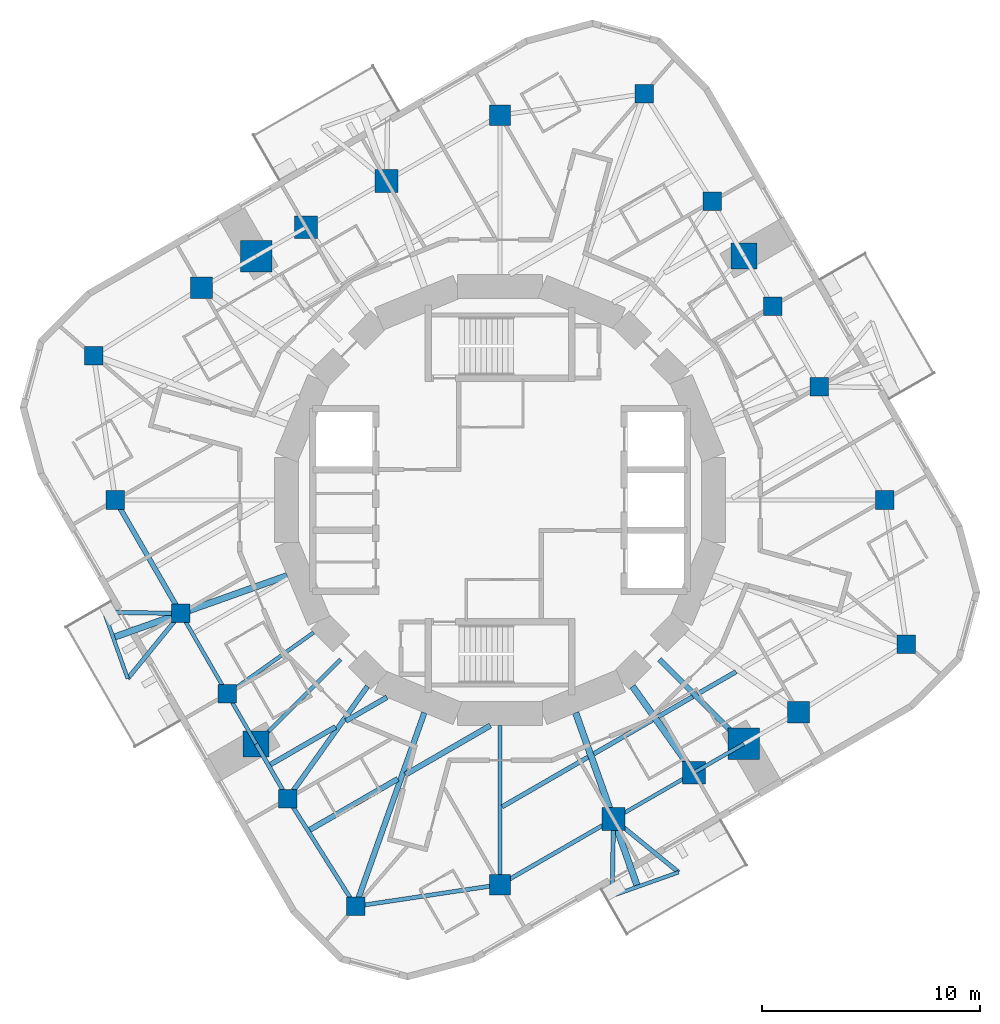
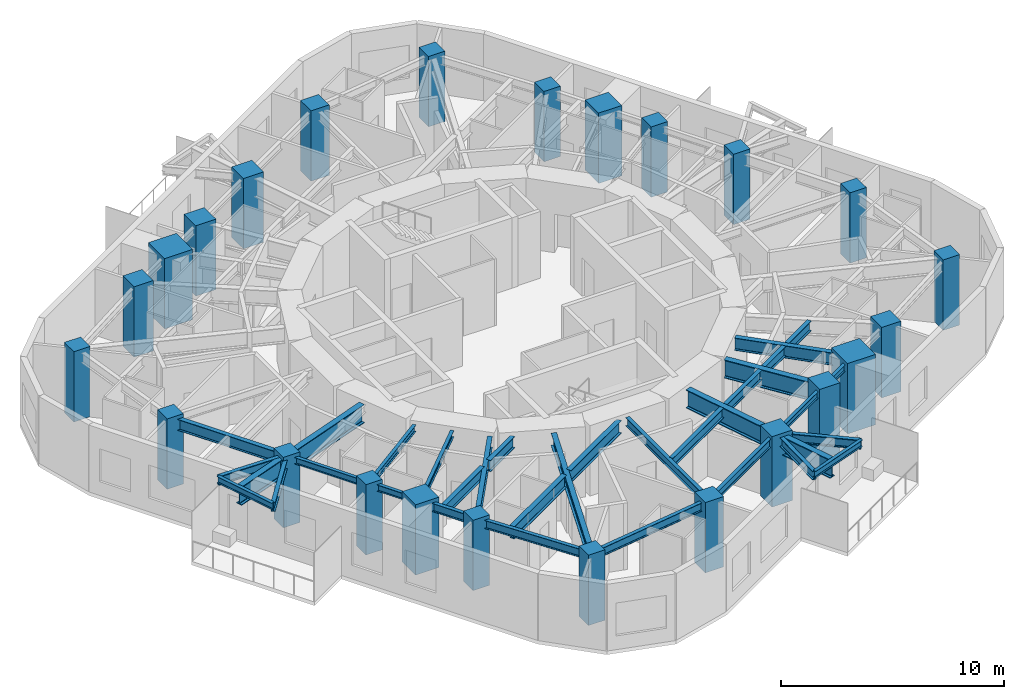
# One storey, part 1 of 11: 32 beams, 24 columns.
"""IFC4 building model written with IfcOpenShell, lengths in metres."""

import ifcopenshell
import ifcopenshell.guid

model = None  # the IFC model being written
_history = None  # IfcOwnerHistory: only IFC2X3 demands one
_inside = {}  # id of a spatial element -> (the spatial element, [elements in it])
_under = {}  # id of a project, library or spatial element -> (it, [spatial elements below it])
_declared = {}  # id of a project -> (the project, [libraries it declares])
_typed = {}  # id of a type object -> (the type object, [elements of that type])
_made_of = {}  # id of a material, layer set ... -> (it, [elements and type objects made of it])


def new_model(schema):
    """Start an empty IFC model of exactly this schema.

    Asked for "IFC4X3", IfcOpenShell would pick the latest addendum, in which some entities
    have other attributes; the version numbers below select the first issue.
    IFC2X3 requires an IfcOwnerHistory on every rooted entity: one is made here for all.
    """
    global model, _history
    if schema == "IFC4X3":
        model = ifcopenshell.file(schema_version=(4, 3, 0, 0))
    else:
        model = ifcopenshell.file(schema=schema)
    _inside.clear()
    _under.clear()
    _declared.clear()
    _typed.clear()
    _made_of.clear()
    _history = None
    if model.schema == "IFC2X3":
        org = make("IfcOrganization", Name="unknown")
        user = make(
            "IfcPersonAndOrganization",
            ThePerson=make("IfcPerson", FamilyName="unknown"),
            TheOrganization=org,
        )
        app = make(
            "IfcApplication",
            ApplicationDeveloper=org,
            Version="unknown",
            ApplicationFullName="unknown",
            ApplicationIdentifier="unknown",
        )
        _history = make(
            "IfcOwnerHistory",
            OwningUser=user,
            OwningApplication=app,
            ChangeAction="ADDED",
            CreationDate=0,
        )
    return model


def make(cls, **values):
    """One entity of the class cls with the attributes given. An attribute that is None is left unset."""
    return model.create_entity(
        cls, **{name: value for name, value in values.items() if value is not None}
    )


def rooted(cls, **values):
    """An entity with a GlobalId (a new one), such as an element, a storey or a relation."""
    return make(cls, GlobalId=ifcopenshell.guid.new(), OwnerHistory=_history, **values)


def si_unit(unit_type, name, prefix=None):
    """IfcSIUnit, for example si_unit("LENGTHUNIT", "METRE", prefix="MILLI")."""
    return make("IfcSIUnit", UnitType=unit_type, Prefix=prefix, Name=name)


def assignment(units):
    """IfcUnitAssignment: the units of a project."""
    return None if units is None else make("IfcUnitAssignment", Units=units)


def point(xyz):
    """IfcCartesianPoint."""
    return None if xyz is None else make("IfcCartesianPoint", Coordinates=xyz)


def direction(xyz):
    """IfcDirection."""
    return None if xyz is None else make("IfcDirection", DirectionRatios=xyz)


def frame(location, z_axis=None, x_axis=None):
    """IfcAxis2Placement3D, a coordinate frame: its origin and axes. An axis left out is left unset."""
    return make(
        "IfcAxis2Placement3D",
        Location=point(location),
        Axis=direction(z_axis),
        RefDirection=direction(x_axis),
    )


def frame_2d(location, x_axis=None):
    """IfcAxis2Placement2D, a coordinate frame in the plane: its origin and x axis."""
    return make(
        "IfcAxis2Placement2D", Location=point(location), RefDirection=direction(x_axis)
    )


def origin():
    """The frame at (0, 0, 0) with its axes left unset."""
    return frame((0.0, 0.0, 0.0))


def origin_2d():
    """The frame at (0, 0) in the plane with its x axis left unset."""
    return frame_2d((0.0, 0.0))


def place(relative_to, where):
    """IfcLocalPlacement: puts the frame where relative to a parent placement (None: the world)."""
    return make(
        "IfcLocalPlacement", PlacementRelTo=relative_to, RelativePlacement=where
    )


def context(
    kind, dimensions, precision=None, world=None, true_north=None, identifier=None
):
    """IfcGeometricRepresentationContext, for example the 3D "Model" context."""
    return make(
        "IfcGeometricRepresentationContext",
        ContextIdentifier=identifier,
        ContextType=kind,
        CoordinateSpaceDimension=dimensions,
        Precision=precision,
        WorldCoordinateSystem=world,
        TrueNorth=true_north,
    )


def subcontext(parent, identifier, kind, view, scale=None):
    """IfcGeometricRepresentationSubContext, for example "Body" below "Model"."""
    return make(
        "IfcGeometricRepresentationSubContext",
        ContextIdentifier=identifier,
        ContextType=kind,
        ParentContext=parent,
        TargetScale=scale,
        TargetView=view,
    )


def project(units=None, contexts=None):
    """IfcProject with its units and contexts."""
    return rooted(
        "IfcProject",
        Name="project",
        RepresentationContexts=contexts,
        UnitsInContext=assignment(units),
    )


def spatial(cls, under=None, at=None, **own):
    """A site, building, storey or space (cls), placed at a placement, below another one or the project."""
    s = rooted(cls, ObjectPlacement=at, **own)
    if under is not None:
        _under.setdefault(under.id(), (under, []))[1].append(s)
    return s


def profile(cls, at=None, kind="AREA", **sizes):
    """A parametric profile (cls). Its sizes go by their IFC names, for example OverallWidth=200.0."""
    return make(cls, ProfileType=kind, Position=at, **sizes)


def rectangle(**sizes):
    """IfcRectangleProfileDef."""
    return profile("IfcRectangleProfileDef", **sizes)


def i_section(**sizes):
    """IfcIShapeProfileDef."""
    return profile("IfcIShapeProfileDef", **sizes)


def extrude(swept, where, along, depth):
    """IfcExtrudedAreaSolid: the profile swept, set in the frame where, extruded along a direction by depth."""
    return make(
        "IfcExtrudedAreaSolid",
        SweptArea=swept,
        Position=where,
        ExtrudedDirection=direction(along),
        Depth=depth,
    )


def shape(context_of_items, identifier, shape_type, items):
    """IfcShapeRepresentation: the items that make up one representation, for example the "Body"."""
    return make(
        "IfcShapeRepresentation",
        ContextOfItems=context_of_items,
        RepresentationIdentifier=identifier,
        RepresentationType=shape_type,
        Items=items,
    )


def material(Name=None, Category=None):
    """IfcMaterial."""
    return make("IfcMaterial", Name=Name, Category=Category)


def material_profile(
    of_material, cross_section, Name=None, Category=None, Priority=None
):
    """IfcMaterialProfile: a cross section and its material."""
    return make(
        "IfcMaterialProfile",
        Name=Name,
        Material=of_material,
        Profile=cross_section,
        Priority=Priority,
        Category=Category,
    )


def profile_set(profiles, Name=None, composite=None):
    """IfcMaterialProfileSet."""
    return make(
        "IfcMaterialProfileSet",
        Name=Name,
        MaterialProfiles=profiles,
        CompositeProfile=composite,
    )


def made_of(thing, what):
    """Note that an element or type object is made of a material, layer set ...; save() writes the relation."""
    if what is not None:
        _made_of.setdefault(what.id(), (what, []))[1].append(thing)
    return thing


def type_object(cls, material=None, **own):
    """A type object (cls), such as IfcWallType, which elements share."""
    return made_of(rooted(cls, **own), material)


def element(
    cls,
    number,
    at=None,
    inside=None,
    cuts=None,
    type_object=None,
    material=None,
    context=None,
    identifier="Body",
    shape_type=None,
    held_by="IfcProductDefinitionShape",
    body=None,
    shapes=None,
    **own,
):
    """One element of the class cls, such as IfcWall. Its Tag is "e" and its number.

    at: its placement. inside: the storey or other place that contains it. cuts: it is an
    opening in that element (IfcRelVoidsElement). A single representation is given by context,
    identifier, shape_type and body (its items); several are given by shapes. held_by: the class
    of the entity that holds the representations. save() writes the other relations.
    """
    e = rooted(cls, Tag="e%d" % number, ObjectPlacement=at, **own)
    if body is not None:
        shapes = [shape(context, identifier, shape_type, body)]
    if shapes is not None:
        e.Representation = make(held_by, Representations=shapes)
    if inside is not None:
        _inside.setdefault(inside.id(), (inside, []))[1].append(e)
    if cuts is not None:
        rooted(
            "IfcRelVoidsElement", RelatingBuildingElement=cuts, RelatedOpeningElement=e
        )
    if type_object is not None:
        _typed.setdefault(type_object.id(), (type_object, []))[1].append(e)
    return made_of(e, material)


def aggregate(whole, parts):
    """IfcRelAggregates: a whole, such as a stair, and the parts it consists of."""
    return rooted("IfcRelAggregates", RelatingObject=whole, RelatedObjects=parts)


def save(model, path):
    """Write the relations noted so far, then the file.

    IfcRelAggregates (storeys below a building ...), IfcRelContainedInSpatialStructure (elements
    in a storey), IfcRelDefinesByType, IfcRelAssociatesMaterial and IfcRelDeclares: one each for
    every whole, place, type object, material and project.
    """
    for whole, parts in _under.values():
        aggregate(whole, parts)
    for where, things in _inside.values():
        rooted(
            "IfcRelContainedInSpatialStructure",
            RelatedElements=things,
            RelatingStructure=where,
        )
    for kind, things in _typed.values():
        rooted("IfcRelDefinesByType", RelatedObjects=things, RelatingType=kind)
    for what, things in _made_of.values():
        rooted("IfcRelAssociatesMaterial", RelatedObjects=things, RelatingMaterial=what)
    for by, libraries in _declared.values():
        rooted("IfcRelDeclares", RelatingContext=by, RelatedDefinitions=libraries)
    model.write(path)


model = new_model("IFC4")

# Units and contexts
model_context = context("Model", 3, precision=1e-05, world=origin(), true_north=direction((0.0, 1.0)))
body_context = subcontext(model_context, "Body", "Model", "MODEL_VIEW")
ifc_project = project(units=[si_unit("LENGTHUNIT", "METRE"), si_unit("AREAUNIT", "SQUARE_METRE"), si_unit("VOLUMEUNIT", "CUBIC_METRE"), si_unit("PLANEANGLEUNIT", "RADIAN"), si_unit("MASSUNIT", "GRAM", prefix="KILO")], contexts=[model_context])

# Site, building, storey
site_placement = place(None, origin())
site = spatial("IfcSite", under=ifc_project, at=site_placement, CompositionType="ELEMENT")
building_placement = place(site_placement, origin())
building = spatial("IfcBuilding", under=site, at=building_placement, Name="Nakasero Lantern House", CompositionType="ELEMENT")
storey_placement = place(building_placement, frame((0.0, 0.0, 234.64990234375)))
storey = spatial("IfcBuildingStorey", under=building, at=storey_placement, Name="L57", CompositionType="ELEMENT", Elevation=234.64990234375)

# Columns
ifc_material_1 = material(Name="Concrete C45/55", Category="concrete")
ifc_material_profile_1 = material_profile(ifc_material_1, rectangle(XDim=1.199951171875, YDim=1.199951171875, at=origin_2d()), Name="RC 1200x1200")
ifc_profile_set_1 = profile_set([ifc_material_profile_1], Name="Concrete C45/55")
column_type_1 = type_object("IfcColumnType", Name="Mega column RC 1200x1200 C45/55", PredefinedType="COLUMN", material=ifc_profile_set_1)
for number, where, z_axis, x_axis, name in (
    (1, (11.200439453125, 11.200439453125, 0.0), (0.0, 0.0, 1.0), (1.0, 0.0, 0.0), "Column B6-C06 L57"),
    (2, (-11.200439453125, -11.200439453125, 0.0), (0.0, 0.0, 1.0), (1.0, 0.0, 0.0), "Column B6-C18 L57"),
):
    element("IfcColumn", number, at=place(storey_placement, frame(where, z_axis=z_axis, x_axis=x_axis)), inside=storey, type_object=column_type_1, Name=name, PredefinedType="COLUMN", context=body_context, shape_type="SweptSolid", body=[
        extrude(rectangle(XDim=1.199951171875, YDim=1.199951171875, at=origin_2d()), origin(), (0.0, 0.0, 1.0), 3.85009765625),
    ])
ifc_material_2 = material(Name="Concrete C45/55", Category="concrete")
ifc_material_profile_2 = material_profile(ifc_material_2, rectangle(XDim=1.449951171875, YDim=1.449951171875, at=origin_2d()), Name="RC 1450x1450")
ifc_profile_set_2 = profile_set([ifc_material_profile_2], Name="Concrete C45/55")
column_type_2 = type_object("IfcColumnType", Name="Mega column RC 1450x1450 C45/55", PredefinedType="COLUMN", material=ifc_profile_set_2)
for number, where, z_axis, x_axis, name in (
    (3, (-11.200439453125, 11.200439453125, 0.0), (0.0, 0.0, 1.0), (1.0, 0.0, 0.0), "Column B6-C12 L57"),
    (4, (11.200439453125, -11.200439453125, 0.0), (0.0, 0.0, 1.0), (1.0, 0.0, 0.0), "Column B6-C24 L57"),
):
    element("IfcColumn", number, at=place(storey_placement, frame(where, z_axis=z_axis, x_axis=x_axis)), inside=storey, type_object=column_type_2, Name=name, PredefinedType="COLUMN", context=body_context, shape_type="SweptSolid", body=[
        extrude(rectangle(XDim=1.449951171875, YDim=1.449951171875, at=origin_2d()), origin(), (0.0, 0.0, 1.0), 3.85009765625),
    ])
ifc_material_3 = material(Name="Concrete C45/55", Category="concrete")
ifc_material_profile_3 = material_profile(ifc_material_3, rectangle(XDim=1.0, YDim=1.0, at=origin_2d()), Name="RC 1000x1000")
ifc_profile_set_3 = profile_set([ifc_material_profile_3], Name="Concrete C45/55")
column_type_3 = type_object("IfcColumnType", Name="Ring column RC 1000x1000 C45/55", PredefinedType="COLUMN", material=ifc_profile_set_3)
for number, where, z_axis, x_axis, name in (
    (5, (13.711669921875, -9.75048828125, 0.0), (0.0, 0.0, 1.0), (1.0, 0.0, 0.0), "Column B6-C01 L57"),
    (6, (-13.711669921875, 9.75048828125, 0.0), (0.0, 0.0, 1.0), (1.0, 0.0, 0.0), "Column B6-C13 L57"),
):
    element("IfcColumn", number, at=place(storey_placement, frame(where, z_axis=z_axis, x_axis=x_axis)), inside=storey, type_object=column_type_3, Name=name, PredefinedType="COLUMN", context=body_context, shape_type="SweptSolid", body=[
        extrude(rectangle(XDim=1.0, YDim=1.0, at=origin_2d()), origin(), (0.0, 0.0, 1.0), 3.85009765625),
    ])
ifc_material_4 = material(Name="Concrete C45/55", Category="concrete")
ifc_material_profile_4 = material_profile(ifc_material_4, rectangle(XDim=1.050048828125, YDim=1.050048828125, at=origin_2d()), Name="RC 1050x1050")
ifc_profile_set_4 = profile_set([ifc_material_profile_4], Name="Concrete C45/55")
column_type_4 = type_object("IfcColumnType", Name="Ring column RC 1050x1050 C45/55", PredefinedType="COLUMN", material=ifc_profile_set_4)
for number, where, z_axis, x_axis, name in (
    (7, (-5.211669921875, 14.657958984375, 0.0), (0.0, 0.0, 1.0), (1.0, 0.0, 0.0), "Column B6-C10 L57"),
    (8, (-8.906494140625, 12.524658203125, 0.0), (0.0, 0.0, 1.0), (1.0, 0.0, 0.0), "Column B6-C11 L57"),
    (9, (5.211669921875, -14.657958984375, 0.0), (0.0, 0.0, 1.0), (1.0, 0.0, 0.0), "Column B6-C22 L57"),
    (10, (8.906494140625, -12.524658203125, 0.0), (0.0, 0.0, 1.0), (1.0, 0.0, 0.0), "Column B6-C23 L57"),
):
    element("IfcColumn", number, at=place(storey_placement, frame(where, z_axis=z_axis, x_axis=x_axis)), inside=storey, type_object=column_type_4, Name=name, PredefinedType="COLUMN", context=body_context, shape_type="SweptSolid", body=[
        extrude(rectangle(XDim=1.050048828125, YDim=1.050048828125, at=origin_2d()), origin(), (0.0, 0.0, 1.0), 3.85009765625),
    ])
ifc_material_5 = material(Name="Concrete C45/55", Category="concrete")
ifc_material_profile_5 = material_profile(ifc_material_5, rectangle(XDim=0.85009765625, YDim=0.85009765625, at=origin_2d()), Name="RC 850x850")
ifc_profile_set_5 = profile_set([ifc_material_profile_5], Name="Concrete C45/55")
column_type_5 = type_object("IfcColumnType", Name="Ring column RC 850x850 C45/55", PredefinedType="COLUMN", material=ifc_profile_set_5)
for number, where, z_axis, x_axis, name in (
    (11, (18.661376953125, -6.63525390625, 0.0), (0.0, 0.0, 1.0), (1.0, 0.0, 0.0), "Column B6-C02 L57"),
    (12, (17.6669921875, 0.0, 0.0), (0.0, 0.0, 1.0), (1.0, 0.0, 0.0), "Column B6-C03 L57"),
    (13, (14.657958984375, 5.211669921875, 0.0), (0.0, 0.0, 1.0), (1.0, 0.0, 0.0), "Column B6-C04 L57"),
    (14, (12.524658203125, 8.906494140625, 0.0), (0.0, 0.0, 1.0), (1.0, 0.0, 0.0), "Column B6-C05 L57"),
    (15, (9.75048828125, 13.711669921875, 0.0), (0.0, 0.0, 1.0), (1.0, 0.0, 0.0), "Column B6-C07 L57"),
    (16, (6.63525390625, 18.661376953125, 0.0), (0.0, 0.0, 1.0), (1.0, 0.0, 0.0), "Column B6-C08 L57"),
    (17, (-18.661376953125, 6.63525390625, 0.0), (0.0, 0.0, 1.0), (1.0, 0.0, 0.0), "Column B6-C14 L57"),
    (18, (-17.6669921875, 0.0, 0.0), (0.0, 0.0, 1.0), (1.0, 0.0, 0.0), "Column B6-C15 L57"),
    (19, (-14.657958984375, -5.211669921875, 0.0), (0.0, 0.0, 1.0), (1.0, 0.0, 0.0), "Column B6-C16 L57"),
    (20, (-12.524658203125, -8.906494140625, 0.0), (0.0, 0.0, 1.0), (1.0, 0.0, 0.0), "Column B6-C17 L57"),
    (21, (-9.75048828125, -13.711669921875, 0.0), (0.0, 0.0, 1.0), (1.0, 0.0, 0.0), "Column B6-C19 L57"),
    (22, (-6.63525390625, -18.661376953125, 0.0), (0.0, 0.0, 1.0), (1.0, 0.0, 0.0), "Column B6-C20 L57"),
):
    element("IfcColumn", number, at=place(storey_placement, frame(where, z_axis=z_axis, x_axis=x_axis)), inside=storey, type_object=column_type_5, Name=name, PredefinedType="COLUMN", context=body_context, shape_type="SweptSolid", body=[
        extrude(rectangle(XDim=0.85009765625, YDim=0.85009765625, at=origin_2d()), origin(), (0.0, 0.0, 1.0), 3.85009765625),
    ])
ifc_material_6 = material(Name="Concrete C45/55", Category="concrete")
ifc_material_profile_6 = material_profile(ifc_material_6, rectangle(XDim=0.949951171875, YDim=0.949951171875, at=origin_2d()), Name="RC 950x950")
ifc_profile_set_6 = profile_set([ifc_material_profile_6], Name="Concrete C45/55")
column_type_6 = type_object("IfcColumnType", Name="Ring column RC 950x950 C45/55", PredefinedType="COLUMN", material=ifc_profile_set_6)
for number, where, z_axis, x_axis, name in (
    (23, (0.0, 17.6669921875, 0.0), (0.0, 0.0, 1.0), (1.0, 0.0, 0.0), "Column B6-C09 L57"),
    (24, (0.0, -17.6669921875, 0.0), (0.0, 0.0, 1.0), (1.0, 0.0, 0.0), "Column B6-C21 L57"),
):
    element("IfcColumn", number, at=place(storey_placement, frame(where, z_axis=z_axis, x_axis=x_axis)), inside=storey, type_object=column_type_6, Name=name, PredefinedType="COLUMN", context=body_context, shape_type="SweptSolid", body=[
        extrude(rectangle(XDim=0.949951171875, YDim=0.949951171875, at=origin_2d()), origin(), (0.0, 0.0, 1.0), 3.85009765625),
    ])

# Beams
ifc_material_7 = material(Name="Steel S355", Category="steel")
ifc_material_profile_7 = material_profile(ifc_material_7, i_section(OverallWidth=0.199462890625, OverallDepth=0.491943359375, WebThickness=0.01806640625, FlangeThickness=0.031982421875, FilletRadius=0.01025390625, at=origin_2d()), Name="UB 457x191x161")
ifc_profile_set_7 = profile_set([ifc_material_profile_7], Name="Steel S355")
beam_type_1 = type_object("IfcBeamType", Name="Balcony splay beam UB 457x191x161", PredefinedType="BEAM", material=ifc_profile_set_7)
beam_1_placement = place(storey_placement, frame((-14.657958984375, -5.211669921875, 3.404052734375), z_axis=(-0.632127727159, -0.774864205236, 0.0), x_axis=(0.774864205236, -0.632127727159, 0.0)))
element("IfcBeam", 25, at=beam_1_placement, inside=storey, type_object=beam_type_1, Name="Balcony splay beam L58 B6-C16A", PredefinedType="BEAM", context=body_context, shape_type="SweptSolid", body=[
    extrude(i_section(OverallWidth=0.199462890625, OverallDepth=0.491943359375, WebThickness=0.01806640625, FlangeThickness=0.031982421875, FilletRadius=0.01025390625, at=origin_2d()), origin(), (0.0, 0.0, 1.0), 3.858642578125),
])
beam_2_placement = place(storey_placement, frame((-14.657958984375, -5.211669921875, 3.404052734375), z_axis=(-0.99985827803, 0.016835196893, 0.0), x_axis=(-0.016835196893, -0.99985827803, 0.0)))
element("IfcBeam", 26, at=beam_2_placement, inside=storey, type_object=beam_type_1, Name="Balcony splay beam L58 B6-C16B", PredefinedType="BEAM", context=body_context, shape_type="SweptSolid", body=[
    extrude(i_section(OverallWidth=0.199462890625, OverallDepth=0.491943359375, WebThickness=0.01806640625, FlangeThickness=0.031982421875, FilletRadius=0.01025390625, at=origin_2d()), origin(), (0.0, 0.0, 1.0), 3.52392578125),
])
beam_3_placement = place(storey_placement, frame((5.211669921875, -14.657958984375, 3.404052734375), z_axis=(0.774864205236, -0.632127727159, 0.0), x_axis=(0.632127727159, 0.774864205236, 0.0)))
element("IfcBeam", 27, at=beam_3_placement, inside=storey, type_object=beam_type_1, Name="Balcony splay beam L58 B6-C22A", PredefinedType="BEAM", context=body_context, shape_type="SweptSolid", body=[
    extrude(i_section(OverallWidth=0.199462890625, OverallDepth=0.491943359375, WebThickness=0.01806640625, FlangeThickness=0.031982421875, FilletRadius=0.01025390625, at=origin_2d()), origin(), (0.0, 0.0, 1.0), 3.858642578125),
])
beam_4_placement = place(storey_placement, frame((5.211669921875, -14.657958984375, 3.404052734375), z_axis=(-0.016835196893, -0.99985827803, 0.0), x_axis=(0.99985827803, -0.016835196893, 0.0)))
element("IfcBeam", 28, at=beam_4_placement, inside=storey, type_object=beam_type_1, Name="Balcony splay beam L58 B6-C22B", PredefinedType="BEAM", context=body_context, shape_type="SweptSolid", body=[
    extrude(i_section(OverallWidth=0.199462890625, OverallDepth=0.491943359375, WebThickness=0.01806640625, FlangeThickness=0.031982421875, FilletRadius=0.01025390625, at=origin_2d()), origin(), (0.0, 0.0, 1.0), 3.52392578125),
])
ifc_material_8 = material(Name="Steel S355", Category="steel")
ifc_material_profile_8 = material_profile(ifc_material_8, i_section(OverallWidth=0.17138671875, OverallDepth=0.35498046875, WebThickness=0.00732421875, FlangeThickness=0.011474609375, FilletRadius=0.01025390625, at=origin_2d()), Name="UB 356x171x51")
ifc_profile_set_8 = profile_set([ifc_material_profile_8], Name="Steel S355")
beam_type_2 = type_object("IfcBeamType", Name="Balcony tie beam UB 356x171x51", PredefinedType="BEAM", material=ifc_profile_set_8)
for number, where, z_axis, x_axis, name in (
    (29, (-17.09716796875, -8.20166015625, 3.47265625), (-0.335017108852, 0.942212044487, 0.0), (-0.942212044487, -0.335017108852, 0.0), "Balcony tie beam L58 B6-C16"),
    (30, (8.20166015625, -17.09716796875, 3.47265625), (-0.942212044487, -0.335017108852, 0.0), (0.335017108852, -0.942212044487, 0.0), "Balcony tie beam L58 B6-C22"),
):
    element("IfcBeam", number, at=place(storey_placement, frame(where, z_axis=z_axis, x_axis=x_axis)), inside=storey, type_object=beam_type_2, Name=name, PredefinedType="BEAM", context=body_context, shape_type="SweptSolid", body=[
        extrude(i_section(OverallWidth=0.17138671875, OverallDepth=0.35498046875, WebThickness=0.00732421875, FlangeThickness=0.011474609375, FilletRadius=0.01025390625, at=origin_2d()), origin(), (0.0, 0.0, 1.0), 3.236328125),
    ])
ifc_material_9 = material(Name="Steel S355", Category="steel")
ifc_material_profile_9 = material_profile(ifc_material_9, i_section(OverallWidth=0.2099609375, OverallDepth=0.53662109375, WebThickness=0.0107421875, FlangeThickness=0.017333984375, FilletRadius=0.0126953125, at=origin_2d()), Name="UB 533x210x101")
ifc_profile_set_9 = profile_set([ifc_material_profile_9], Name="Steel S355")
beam_type_3 = type_object("IfcBeamType", Name="Infill beam UB 533x210x101", PredefinedType="JOIST", material=ifc_profile_set_9)
beam_5_placement = place(storey_placement, frame((0.095703125, -14.08984375, 3.3818359375), z_axis=(0.866027576455, 0.499996236806, 0.0), x_axis=(-0.499996236806, 0.866027576455, 0.0)))
element("IfcBeam", 31, at=beam_5_placement, inside=storey, type_object=beam_type_3, Name="Infill beam L58 03.1", PredefinedType="JOIST", context=body_context, shape_type="SweptSolid", body=[
    extrude(i_section(OverallWidth=0.2099609375, OverallDepth=0.53662109375, WebThickness=0.0107421875, FlangeThickness=0.017333984375, FilletRadius=0.0126953125, at=origin_2d()), origin(), (0.0, 0.0, 1.0), 4.55419921875),
])
beam_6_placement = place(storey_placement, frame((4.3056640625, -11.6591796875, 3.3818359375), z_axis=(0.866018346476, 0.500012223418, 0.0), x_axis=(-0.500012223418, 0.866018346476, 0.0)))
element("IfcBeam", 32, at=beam_6_placement, inside=storey, type_object=beam_type_3, Name="Infill beam L58 03.2", PredefinedType="JOIST", context=body_context, shape_type="SweptSolid", body=[
    extrude(i_section(OverallWidth=0.2099609375, OverallDepth=0.53662109375, WebThickness=0.0107421875, FlangeThickness=0.017333984375, FilletRadius=0.0126953125, at=origin_2d()), origin(), (0.0, 0.0, 1.0), 3.11181640625),
])
beam_7_placement = place(storey_placement, frame((7.261474609375, -9.95263671875, 3.3818359375), z_axis=(0.866028611999, 0.499994443168, 0.0), x_axis=(-0.499994443168, 0.866028611999, 0.0)))
element("IfcBeam", 33, at=beam_7_placement, inside=storey, type_object=beam_type_3, Name="Infill beam L58 03.3", PredefinedType="JOIST", context=body_context, shape_type="SweptSolid", body=[
    extrude(i_section(OverallWidth=0.2099609375, OverallDepth=0.53662109375, WebThickness=0.0107421875, FlangeThickness=0.017333984375, FilletRadius=0.0126953125, at=origin_2d()), origin(), (0.0, 0.0, 1.0), 1.8388671875),
])
beam_8_placement = place(storey_placement, frame((9.081298828125, -8.90185546875, 3.3818359375), z_axis=(0.866073420066, 0.499916824138, 0.0), x_axis=(-0.499916824138, 0.866073420066, 0.0)))
element("IfcBeam", 34, at=beam_8_placement, inside=storey, type_object=beam_type_3, Name="Infill beam L58 03.4", PredefinedType="JOIST", context=body_context, shape_type="SweptSolid", body=[
    extrude(i_section(OverallWidth=0.2099609375, OverallDepth=0.53662109375, WebThickness=0.0107421875, FlangeThickness=0.017333984375, FilletRadius=0.0126953125, at=origin_2d()), origin(), (0.0, 0.0, 1.0), 2.029541015625),
])
ifc_material_10 = material(Name="Steel S355", Category="steel")
ifc_material_profile_10 = material_profile(ifc_material_10, i_section(OverallWidth=0.22900390625, OverallDepth=0.6123046875, WebThickness=0.011962890625, FlangeThickness=0.01953125, FilletRadius=0.0126953125, at=origin_2d()), Name="UB 610x229x125")
ifc_profile_set_10 = profile_set([ifc_material_profile_10], Name="Steel S355")
beam_type_4 = type_object("IfcBeamType", Name="Infill beam UB 610x229x125", PredefinedType="JOIST", material=ifc_profile_set_10)
beam_9_placement = place(storey_placement, frame((-10.542236328125, -12.14892578125, 3.343994140625), z_axis=(0.866006607564, 0.500032554596, 0.0), x_axis=(-0.500032554596, 0.866006607564, 0.0)))
element("IfcBeam", 35, at=beam_9_placement, inside=storey, type_object=beam_type_4, Name="Infill beam L58 05.1", PredefinedType="JOIST", context=body_context, shape_type="SweptSolid", body=[
    extrude(i_section(OverallWidth=0.22900390625, OverallDepth=0.6123046875, WebThickness=0.011962890625, FlangeThickness=0.01953125, FilletRadius=0.0126953125, at=origin_2d()), origin(), (0.0, 0.0, 1.0), 3.452880859375),
])
beam_10_placement = place(storey_placement, frame((-7.0751953125, -10.14697265625, 3.343994140625), z_axis=(0.866043427695, 0.499968780372, 0.0), x_axis=(-0.499968780372, 0.866043427695, 0.0)))
element("IfcBeam", 36, at=beam_10_placement, inside=storey, type_object=beam_type_4, Name="Infill beam L58 05.2", PredefinedType="JOIST", context=body_context, shape_type="SweptSolid", body=[
    extrude(i_section(OverallWidth=0.22900390625, OverallDepth=0.6123046875, WebThickness=0.011962890625, FlangeThickness=0.01953125, FilletRadius=0.0126953125, at=origin_2d()), origin(), (0.0, 0.0, 1.0), 2.173583984375),
])
ifc_material_11 = material(Name="Steel S355", Category="steel")
ifc_material_profile_11 = material_profile(ifc_material_11, i_section(OverallWidth=0.253662109375, OverallDepth=0.68359375, WebThickness=0.012451171875, FlangeThickness=0.01904296875, FilletRadius=0.01513671875, at=origin_2d()), Name="UB 686x254x140")
ifc_profile_set_11 = profile_set([ifc_material_profile_11], Name="Steel S355")
beam_type_5 = type_object("IfcBeamType", Name="Infill beam UB 686x254x140", PredefinedType="JOIST", material=ifc_profile_set_11)
beam_11_placement = place(storey_placement, frame((-8.735107421875, -15.146728515625, 3.308349609375), z_axis=(0.866030607649, 0.499990986534, 0.0), x_axis=(-0.499990986534, 0.866030607649, 0.0)))
element("IfcBeam", 37, at=beam_11_placement, inside=storey, type_object=beam_type_5, Name="Infill beam L58 04.1", PredefinedType="JOIST", context=body_context, shape_type="SweptSolid", body=[
    extrude(i_section(OverallWidth=0.253662109375, OverallDepth=0.68359375, WebThickness=0.012451171875, FlangeThickness=0.01904296875, FilletRadius=0.01513671875, at=origin_2d()), origin(), (0.0, 0.0, 1.0), 4.66943359375),
])
beam_12_placement = place(storey_placement, frame((-4.349609375, -12.61474609375, 3.308349609375), z_axis=(0.86603787505, 0.499978398512, 0.0), x_axis=(-0.499978398512, 0.86603787505, 0.0)))
element("IfcBeam", 38, at=beam_12_placement, inside=storey, type_object=beam_type_5, Name="Infill beam L58 04.2", PredefinedType="JOIST", context=body_context, shape_type="SweptSolid", body=[
    extrude(i_section(OverallWidth=0.253662109375, OverallDepth=0.68359375, WebThickness=0.012451171875, FlangeThickness=0.01904296875, FilletRadius=0.01513671875, at=origin_2d()), origin(), (0.0, 0.0, 1.0), 4.513916015625),
])
ifc_material_12 = material(Name="Steel S355", Category="steel")
ifc_material_profile_12 = material_profile(ifc_material_12, i_section(OverallWidth=0.300048828125, OverallDepth=1.0, WebThickness=0.01904296875, FlangeThickness=0.035888671875, FilletRadius=0.030029296875, at=origin_2d()), Name="UB 1016x305x314")
ifc_profile_set_12 = profile_set([ifc_material_profile_12], Name="Steel S355")
beam_type_6 = type_object("IfcBeamType", Name="Primary beam UB 1016x305x314, span to 6 m", PredefinedType="BEAM", material=ifc_profile_set_12)
beam_13_placement = place(storey_placement, frame((8.906494140625, -12.524658203125, 3.150146484375), z_axis=(-0.579513415446, 0.814962699342, 0.0), x_axis=(-0.814962699342, -0.579513415446, 0.0)))
element("IfcBeam", 39, at=beam_13_placement, inside=storey, type_object=beam_type_6, Name="Primary beam L58 B6-C23", PredefinedType="BEAM", context=body_context, shape_type="SweptSolid", body=[
    extrude(i_section(OverallWidth=0.300048828125, OverallDepth=1.0, WebThickness=0.01904296875, FlangeThickness=0.035888671875, FilletRadius=0.030029296875, at=origin_2d()), origin(), (0.0, 0.0, 1.0), 4.8642578125),
])
ifc_material_13 = material(Name="Steel S355", Category="steel")
ifc_material_profile_13 = material_profile(ifc_material_13, i_section(OverallWidth=0.302001953125, OverallDepth=1.008056640625, WebThickness=0.02099609375, FlangeThickness=0.0400390625, FilletRadius=0.030029296875, at=origin_2d()), Name="UB 1016x305x349")
ifc_profile_set_13 = profile_set([ifc_material_profile_13], Name="Steel S355")
beam_type_7 = type_object("IfcBeamType", Name="Primary beam UB 1016x305x349, span to 6 m", PredefinedType="BEAM", material=ifc_profile_set_13)
for number, where, z_axis, x_axis, name in (
    (40, (-17.767333984375, -6.317138671875, 3.14599609375), (0.94222457875, 0.33498185503, 0.0), (-0.33498185503, 0.94222457875, 0.0), "Primary beam L58 B6-C16"),
    (41, (6.317138671875, -17.767333984375, 3.14599609375), (-0.33498185503, 0.94222457875, 0.0), (-0.94222457875, -0.33498185503, 0.0), "Primary beam L58 B6-C22"),
):
    element("IfcBeam", number, at=place(storey_placement, frame(where, z_axis=z_axis, x_axis=x_axis)), inside=storey, type_object=beam_type_7, Name=name, PredefinedType="BEAM", context=body_context, shape_type="SweptSolid", body=[
        extrude(i_section(OverallWidth=0.302001953125, OverallDepth=1.008056640625, WebThickness=0.02099609375, FlangeThickness=0.0400390625, FilletRadius=0.030029296875, at=origin_2d()), origin(), (0.0, 0.0, 1.0), 8.485595703125),
    ])
ifc_material_14 = material(Name="Steel S355", Category="steel")
ifc_material_profile_14 = material_profile(ifc_material_14, i_section(OverallWidth=0.17138671875, OverallDepth=0.35498046875, WebThickness=0.00732421875, FlangeThickness=0.011474609375, FilletRadius=0.01025390625, at=origin_2d()), Name="UB 356x171x51")
ifc_profile_set_14 = profile_set([ifc_material_profile_14], Name="Steel S355")
beam_type_8 = type_object("IfcBeamType", Name="Primary beam UB 356x171x51, span to 6 m", PredefinedType="BEAM", material=ifc_profile_set_14)
beam_14_placement = place(storey_placement, frame((-12.524658203125, -8.906494140625, 3.47265625), z_axis=(0.814962699342, 0.579513415446, 0.0), x_axis=(-0.579513415446, 0.814962699342, 0.0)))
element("IfcBeam", 42, at=beam_14_placement, inside=storey, type_object=beam_type_8, Name="Primary beam L58 B6-C17", PredefinedType="BEAM", context=body_context, shape_type="SweptSolid", body=[
    extrude(i_section(OverallWidth=0.17138671875, OverallDepth=0.35498046875, WebThickness=0.00732421875, FlangeThickness=0.011474609375, FilletRadius=0.01025390625, at=origin_2d()), origin(), (0.0, 0.0, 1.0), 4.8642578125),
])
beam_15_placement = place(storey_placement, frame((-11.200439453125, -11.200439453125, 3.47265625), z_axis=(0.707106781187, 0.707106781187, 0.0), x_axis=(-0.707106781187, 0.707106781187, 0.0)))
element("IfcBeam", 43, at=beam_15_placement, inside=storey, type_object=beam_type_8, Name="Primary beam L58 B6-C18", PredefinedType="BEAM", context=body_context, shape_type="SweptSolid", body=[
    extrude(i_section(OverallWidth=0.17138671875, OverallDepth=0.35498046875, WebThickness=0.00732421875, FlangeThickness=0.011474609375, FilletRadius=0.01025390625, at=origin_2d()), origin(), (0.0, 0.0, 1.0), 5.481689453125),
])
ifc_material_15 = material(Name="Steel S355", Category="steel")
ifc_material_profile_15 = material_profile(ifc_material_15, i_section(OverallWidth=0.19140625, OverallDepth=0.4599609375, WebThickness=0.010009765625, FlangeThickness=0.01611328125, FilletRadius=0.01025390625, at=origin_2d()), Name="UB 457x191x82")
ifc_profile_set_15 = profile_set([ifc_material_profile_15], Name="Steel S355")
beam_type_9 = type_object("IfcBeamType", Name="Primary beam UB 457x191x82, span 6 to 9 m", PredefinedType="BEAM", material=ifc_profile_set_15)
beam_16_placement = place(storey_placement, frame((0.0, -17.6669921875, 3.420166015625), z_axis=(0.0, 1.0, 0.0), x_axis=(-1.0, 0.0, 0.0)))
element("IfcBeam", 44, at=beam_16_placement, inside=storey, type_object=beam_type_9, Name="Primary beam L58 B6-C21", PredefinedType="BEAM", context=body_context, shape_type="SweptSolid", body=[
    extrude(i_section(OverallWidth=0.19140625, OverallDepth=0.4599609375, WebThickness=0.010009765625, FlangeThickness=0.01611328125, FilletRadius=0.01025390625, at=origin_2d()), origin(), (0.0, 0.0, 1.0), 7.30908203125),
])
ifc_material_16 = material(Name="Steel S355", Category="steel")
ifc_material_profile_16 = material_profile(ifc_material_16, i_section(OverallWidth=0.22900390625, OverallDepth=0.6123046875, WebThickness=0.011962890625, FlangeThickness=0.01953125, FilletRadius=0.0126953125, at=origin_2d()), Name="UB 610x229x125")
ifc_profile_set_16 = profile_set([ifc_material_profile_16], Name="Steel S355")
beam_type_10 = type_object("IfcBeamType", Name="Primary beam UB 610x229x125, span 6 to 9 m", PredefinedType="BEAM", material=ifc_profile_set_16)
beam_17_placement = place(storey_placement, frame((-9.75048828125, -13.711669921875, 3.343994140625), z_axis=(0.579504973637, 0.814968702178, 0.0), x_axis=(-0.814968702178, 0.579504973637, 0.0)))
element("IfcBeam", 45, at=beam_17_placement, inside=storey, type_object=beam_type_10, Name="Primary beam L58 B6-C19", PredefinedType="BEAM", context=body_context, shape_type="SweptSolid", body=[
    extrude(i_section(OverallWidth=0.22900390625, OverallDepth=0.6123046875, WebThickness=0.011962890625, FlangeThickness=0.01953125, FilletRadius=0.0126953125, at=origin_2d()), origin(), (0.0, 0.0, 1.0), 6.320556640625),
])
ifc_material_17 = material(Name="Steel S355", Category="steel")
ifc_material_profile_17 = material_profile(ifc_material_17, i_section(OverallWidth=0.253662109375, OverallDepth=0.68359375, WebThickness=0.012451171875, FlangeThickness=0.01904296875, FilletRadius=0.01513671875, at=origin_2d()), Name="UB 686x254x140")
ifc_profile_set_17 = profile_set([ifc_material_profile_17], Name="Steel S355")
beam_type_11 = type_object("IfcBeamType", Name="Primary beam UB 686x254x140, span to 6 m", PredefinedType="BEAM", material=ifc_profile_set_17)
beam_18_placement = place(storey_placement, frame((11.200439453125, -11.200439453125, 3.308349609375), z_axis=(-0.707106781187, 0.707106781187, 0.0), x_axis=(-0.707106781187, -0.707106781187, 0.0)))
element("IfcBeam", 46, at=beam_18_placement, inside=storey, type_object=beam_type_11, Name="Primary beam L58 B6-C24", PredefinedType="BEAM", context=body_context, shape_type="SweptSolid", body=[
    extrude(i_section(OverallWidth=0.253662109375, OverallDepth=0.68359375, WebThickness=0.012451171875, FlangeThickness=0.01904296875, FilletRadius=0.01513671875, at=origin_2d()), origin(), (0.0, 0.0, 1.0), 5.481689453125),
])
ifc_material_18 = material(Name="Steel S355", Category="steel")
ifc_material_profile_18 = material_profile(ifc_material_18, i_section(OverallWidth=0.255859375, OverallDepth=0.69287109375, WebThickness=0.014404296875, FlangeThickness=0.023681640625, FilletRadius=0.01513671875, at=origin_2d()), Name="UB 686x254x170")
ifc_profile_set_18 = profile_set([ifc_material_profile_18], Name="Steel S355")
beam_type_12 = type_object("IfcBeamType", Name="Primary beam UB 686x254x170, span 9 to 12 m", PredefinedType="BEAM", material=ifc_profile_set_18)
beam_19_placement = place(storey_placement, frame((-6.63525390625, -18.661376953125, 3.3037109375), z_axis=(0.335006604588, 0.942215779364, 0.0), x_axis=(-0.942215779364, 0.335006604588, 0.0)))
element("IfcBeam", 47, at=beam_19_placement, inside=storey, type_object=beam_type_12, Name="Primary beam L58 B6-C20", PredefinedType="BEAM", context=body_context, shape_type="SweptSolid", body=[
    extrude(i_section(OverallWidth=0.255859375, OverallDepth=0.69287109375, WebThickness=0.014404296875, FlangeThickness=0.023681640625, FilletRadius=0.01513671875, at=origin_2d()), origin(), (0.0, 0.0, 1.0), 9.4345703125),
])
ifc_material_19 = material(Name="Steel S355", Category="steel")
ifc_material_profile_19 = material_profile(ifc_material_19, i_section(OverallWidth=0.17138671875, OverallDepth=0.35498046875, WebThickness=0.00732421875, FlangeThickness=0.011474609375, FilletRadius=0.01025390625, at=origin_2d()), Name="UB 356x171x51")
ifc_profile_set_19 = profile_set([ifc_material_profile_19], Name="Steel S355")
beam_type_13 = type_object("IfcBeamType", Name="Ring beam UB 356x171x51", PredefinedType="BEAM", material=ifc_profile_set_19)
beam_20_placement = place(storey_placement, frame((-14.657958984375, -5.211669921875, 3.47265625), z_axis=(0.500016352561, -0.866015962423, 0.0), x_axis=(0.866015962423, 0.500016352561, 0.0)))
element("IfcBeam", 48, at=beam_20_placement, inside=storey, type_object=beam_type_13, Name="Ring beam L58 B6-C16", PredefinedType="BEAM", context=body_context, shape_type="SweptSolid", body=[
    extrude(i_section(OverallWidth=0.17138671875, OverallDepth=0.35498046875, WebThickness=0.00732421875, FlangeThickness=0.011474609375, FilletRadius=0.01025390625, at=origin_2d()), origin(), (0.0, 0.0, 1.0), 4.266357421875),
])
beam_21_placement = place(storey_placement, frame((-12.524658203125, -8.906494140625, 3.47265625), z_axis=(0.499945861543, -0.866056658381, 0.0), x_axis=(0.866056658381, 0.499945861543, 0.0)))
element("IfcBeam", 49, at=beam_21_placement, inside=storey, type_object=beam_type_13, Name="Ring beam L58 B6-C17", PredefinedType="BEAM", context=body_context, shape_type="SweptSolid", body=[
    extrude(i_section(OverallWidth=0.17138671875, OverallDepth=0.35498046875, WebThickness=0.00732421875, FlangeThickness=0.011474609375, FilletRadius=0.01025390625, at=origin_2d()), origin(), (0.0, 0.0, 1.0), 2.648681640625),
])
beam_22_placement = place(storey_placement, frame((5.211669921875, -14.657958984375, 3.47265625), z_axis=(0.866015962423, 0.500016352561, 0.0), x_axis=(-0.500016352561, 0.866015962423, 0.0)))
element("IfcBeam", 50, at=beam_22_placement, inside=storey, type_object=beam_type_13, Name="Ring beam L58 B6-C22", PredefinedType="BEAM", context=body_context, shape_type="SweptSolid", body=[
    extrude(i_section(OverallWidth=0.17138671875, OverallDepth=0.35498046875, WebThickness=0.00732421875, FlangeThickness=0.011474609375, FilletRadius=0.01025390625, at=origin_2d()), origin(), (0.0, 0.0, 1.0), 4.266357421875),
])
beam_23_placement = place(storey_placement, frame((8.906494140625, -12.524658203125, 3.47265625), z_axis=(0.866056658381, 0.499945861543, 0.0), x_axis=(-0.499945861543, 0.866056658381, 0.0)))
element("IfcBeam", 51, at=beam_23_placement, inside=storey, type_object=beam_type_13, Name="Ring beam L58 B6-C23", PredefinedType="BEAM", context=body_context, shape_type="SweptSolid", body=[
    extrude(i_section(OverallWidth=0.17138671875, OverallDepth=0.35498046875, WebThickness=0.00732421875, FlangeThickness=0.011474609375, FilletRadius=0.01025390625, at=origin_2d()), origin(), (0.0, 0.0, 1.0), 2.648681640625),
])
ifc_material_20 = material(Name="Steel S355", Category="steel")
ifc_material_profile_20 = material_profile(ifc_material_20, i_section(OverallWidth=0.18994140625, OverallDepth=0.453369140625, WebThickness=0.008544921875, FlangeThickness=0.0126953125, FilletRadius=0.01025390625, at=origin_2d()), Name="UB 457x191x67")
ifc_profile_set_20 = profile_set([ifc_material_profile_20], Name="Steel S355")
beam_type_14 = type_object("IfcBeamType", Name="Ring beam UB 457x191x67", PredefinedType="BEAM", material=ifc_profile_set_20)
beam_24_placement = place(storey_placement, frame((-9.75048828125, -13.711669921875, 3.42333984375), z_axis=(0.532660471024, -0.846329027393, 0.0), x_axis=(0.846329027393, 0.532660471024, 0.0)))
element("IfcBeam", 52, at=beam_24_placement, inside=storey, type_object=beam_type_14, Name="Ring beam L58 B6-C19", PredefinedType="BEAM", context=body_context, shape_type="SweptSolid", body=[
    extrude(i_section(OverallWidth=0.18994140625, OverallDepth=0.453369140625, WebThickness=0.008544921875, FlangeThickness=0.0126953125, FilletRadius=0.01025390625, at=origin_2d()), origin(), (0.0, 0.0, 1.0), 5.848388671875),
])
beam_25_placement = place(storey_placement, frame((0.0, -17.6669921875, 3.42333984375), z_axis=(0.866020066889, 0.50000924366, 0.0), x_axis=(-0.50000924366, 0.866020066889, 0.0)))
element("IfcBeam", 53, at=beam_25_placement, inside=storey, type_object=beam_type_14, Name="Ring beam L58 B6-C21", PredefinedType="BEAM", context=body_context, shape_type="SweptSolid", body=[
    extrude(i_section(OverallWidth=0.18994140625, OverallDepth=0.453369140625, WebThickness=0.008544921875, FlangeThickness=0.0126953125, FilletRadius=0.01025390625, at=origin_2d()), origin(), (0.0, 0.0, 1.0), 6.01806640625),
])
ifc_material_21 = material(Name="Steel S355", Category="steel")
ifc_material_profile_21 = material_profile(ifc_material_21, i_section(OverallWidth=0.19140625, OverallDepth=0.4599609375, WebThickness=0.010009765625, FlangeThickness=0.01611328125, FilletRadius=0.01025390625, at=origin_2d()), Name="UB 457x191x82")
ifc_profile_set_21 = profile_set([ifc_material_profile_21], Name="Steel S355")
beam_type_15 = type_object("IfcBeamType", Name="Ring beam UB 457x191x82", PredefinedType="BEAM", material=ifc_profile_set_21)
beam_26_placement = place(storey_placement, frame((-11.200439453125, -11.200439453125, 3.420166015625), z_axis=(0.500023687443, -0.866011727401, 0.0), x_axis=(0.866011727401, 0.500023687443, 0.0)))
element("IfcBeam", 54, at=beam_26_placement, inside=storey, type_object=beam_type_15, Name="Ring beam L58 B6-C18", PredefinedType="BEAM", context=body_context, shape_type="SweptSolid", body=[
    extrude(i_section(OverallWidth=0.19140625, OverallDepth=0.4599609375, WebThickness=0.010009765625, FlangeThickness=0.01611328125, FilletRadius=0.01025390625, at=origin_2d()), origin(), (0.0, 0.0, 1.0), 2.899658203125),
])
beam_27_placement = place(storey_placement, frame((-6.63525390625, -18.661376953125, 3.420166015625), z_axis=(0.988956095107, 0.148208778253, 0.0), x_axis=(-0.148208778253, 0.988956095107, 0.0)))
element("IfcBeam", 55, at=beam_27_placement, inside=storey, type_object=beam_type_15, Name="Ring beam L58 B6-C20", PredefinedType="BEAM", context=body_context, shape_type="SweptSolid", body=[
    extrude(i_section(OverallWidth=0.19140625, OverallDepth=0.4599609375, WebThickness=0.010009765625, FlangeThickness=0.01611328125, FilletRadius=0.01025390625, at=origin_2d()), origin(), (0.0, 0.0, 1.0), 6.70947265625),
])
ifc_material_22 = material(Name="Steel S355", Category="steel")
ifc_material_profile_22 = material_profile(ifc_material_22, i_section(OverallWidth=0.22900390625, OverallDepth=0.6123046875, WebThickness=0.011962890625, FlangeThickness=0.01953125, FilletRadius=0.0126953125, at=origin_2d()), Name="UB 610x229x125")
ifc_profile_set_22 = profile_set([ifc_material_profile_22], Name="Steel S355")
beam_type_16 = type_object("IfcBeamType", Name="Ring beam UB 610x229x125", PredefinedType="BEAM", material=ifc_profile_set_22)
beam_28_placement = place(storey_placement, frame((-17.6669921875, 0.0, 3.343994140625), z_axis=(0.50000924366, -0.866020066889, 0.0), x_axis=(0.866020066889, 0.50000924366, 0.0)))
element("IfcBeam", 56, at=beam_28_placement, inside=storey, type_object=beam_type_16, Name="Ring beam L58 B6-C15", PredefinedType="BEAM", context=body_context, shape_type="SweptSolid", body=[
    extrude(i_section(OverallWidth=0.22900390625, OverallDepth=0.6123046875, WebThickness=0.011962890625, FlangeThickness=0.01953125, FilletRadius=0.0126953125, at=origin_2d()), origin(), (0.0, 0.0, 1.0), 6.01806640625),
])

save(model, "model.ifc")
